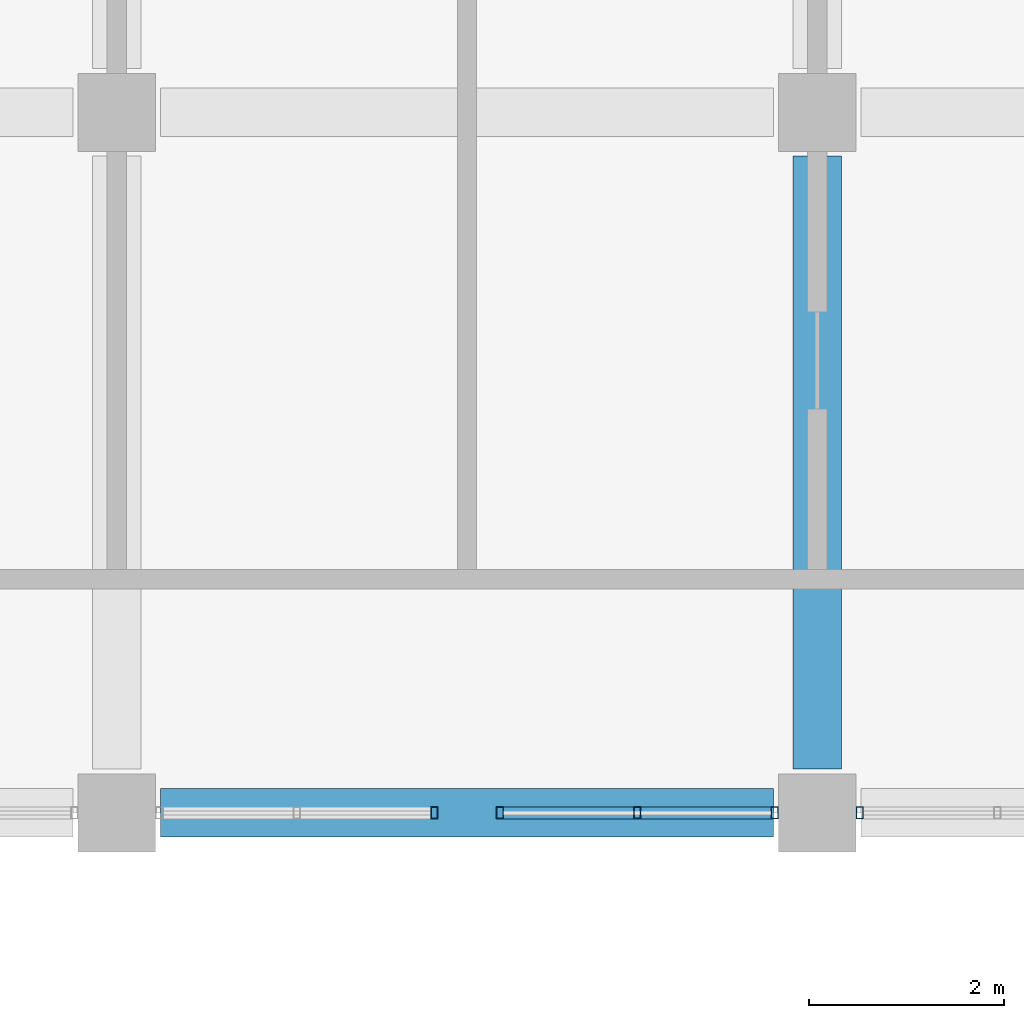
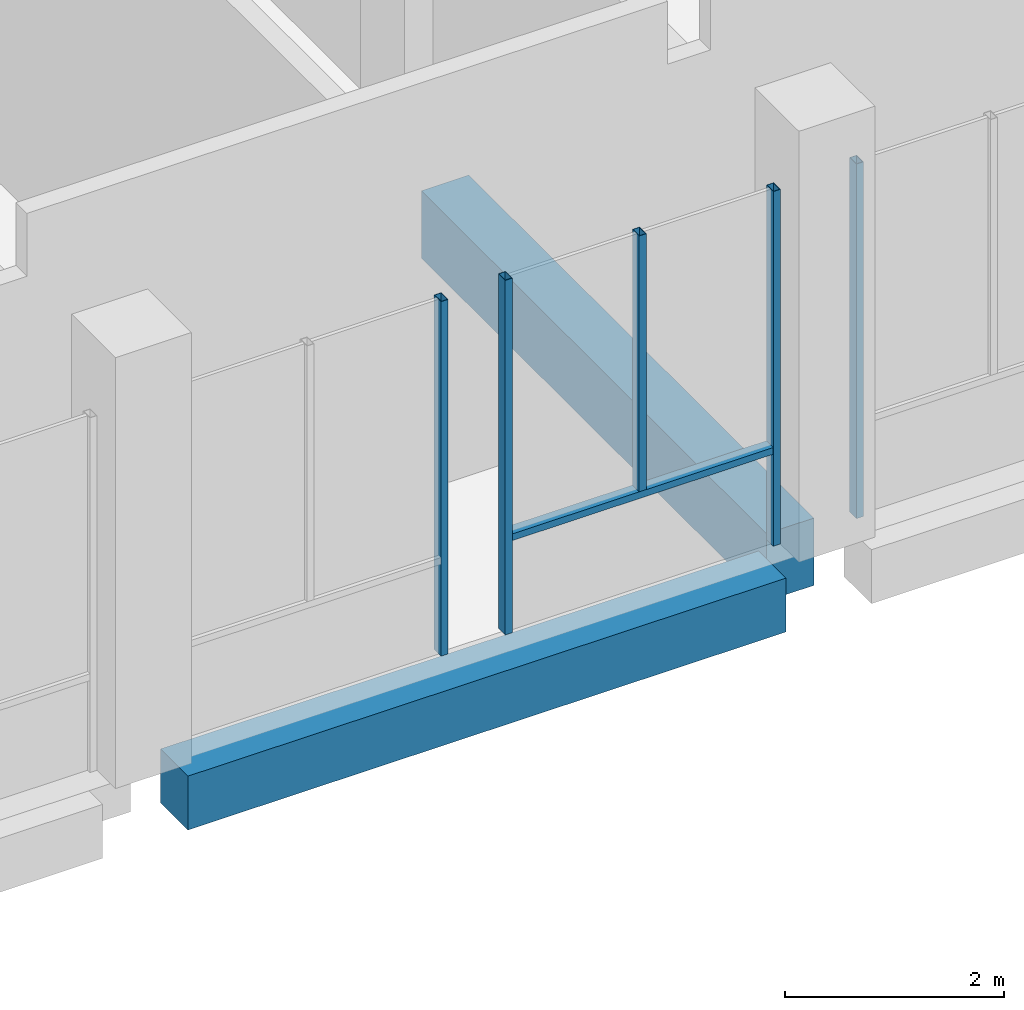
# One storey, part 8 of 31: 6 members, 2 beams, 3 elements without a shape of their own.
"""IFC4 building model written with IfcOpenShell, lengths in metres."""

import ifcopenshell
import ifcopenshell.guid

model = None  # the IFC model being written
_history = None  # IfcOwnerHistory: only IFC2X3 demands one
_inside = {}  # id of a spatial element -> (the spatial element, [elements in it])
_under = {}  # id of a project, library or spatial element -> (it, [spatial elements below it])
_declared = {}  # id of a project -> (the project, [libraries it declares])
_typed = {}  # id of a type object -> (the type object, [elements of that type])
_made_of = {}  # id of a material, layer set ... -> (it, [elements and type objects made of it])


def new_model(schema):
    """Start an empty IFC model of exactly this schema.

    Asked for "IFC4X3", IfcOpenShell would pick the latest addendum, in which some entities
    have other attributes; the version numbers below select the first issue.
    IFC2X3 requires an IfcOwnerHistory on every rooted entity: one is made here for all.
    """
    global model, _history
    if schema == "IFC4X3":
        model = ifcopenshell.file(schema_version=(4, 3, 0, 0))
    else:
        model = ifcopenshell.file(schema=schema)
    _inside.clear()
    _under.clear()
    _declared.clear()
    _typed.clear()
    _made_of.clear()
    _history = None
    if model.schema == "IFC2X3":
        org = make("IfcOrganization", Name="unknown")
        user = make(
            "IfcPersonAndOrganization",
            ThePerson=make("IfcPerson", FamilyName="unknown"),
            TheOrganization=org,
        )
        app = make(
            "IfcApplication",
            ApplicationDeveloper=org,
            Version="unknown",
            ApplicationFullName="unknown",
            ApplicationIdentifier="unknown",
        )
        _history = make(
            "IfcOwnerHistory",
            OwningUser=user,
            OwningApplication=app,
            ChangeAction="ADDED",
            CreationDate=0,
        )
    return model


def make(cls, **values):
    """One entity of the class cls with the attributes given. An attribute that is None is left unset."""
    return model.create_entity(
        cls, **{name: value for name, value in values.items() if value is not None}
    )


def rooted(cls, **values):
    """An entity with a GlobalId (a new one), such as an element, a storey or a relation."""
    return make(cls, GlobalId=ifcopenshell.guid.new(), OwnerHistory=_history, **values)


def si_unit(unit_type, name, prefix=None):
    """IfcSIUnit, for example si_unit("LENGTHUNIT", "METRE", prefix="MILLI")."""
    return make("IfcSIUnit", UnitType=unit_type, Prefix=prefix, Name=name)


def assignment(units):
    """IfcUnitAssignment: the units of a project."""
    return None if units is None else make("IfcUnitAssignment", Units=units)


def point(xyz):
    """IfcCartesianPoint."""
    return None if xyz is None else make("IfcCartesianPoint", Coordinates=xyz)


def direction(xyz):
    """IfcDirection."""
    return None if xyz is None else make("IfcDirection", DirectionRatios=xyz)


def frame(location, z_axis=None, x_axis=None):
    """IfcAxis2Placement3D, a coordinate frame: its origin and axes. An axis left out is left unset."""
    return make(
        "IfcAxis2Placement3D",
        Location=point(location),
        Axis=direction(z_axis),
        RefDirection=direction(x_axis),
    )


def frame_2d(location, x_axis=None):
    """IfcAxis2Placement2D, a coordinate frame in the plane: its origin and x axis."""
    return make(
        "IfcAxis2Placement2D", Location=point(location), RefDirection=direction(x_axis)
    )


def origin():
    """The frame at (0, 0, 0) with its axes left unset."""
    return frame((0.0, 0.0, 0.0))


def origin_2d():
    """The frame at (0, 0) in the plane with its x axis left unset."""
    return frame_2d((0.0, 0.0))


def place(relative_to, where):
    """IfcLocalPlacement: puts the frame where relative to a parent placement (None: the world)."""
    return make(
        "IfcLocalPlacement", PlacementRelTo=relative_to, RelativePlacement=where
    )


def context(
    kind, dimensions, precision=None, world=None, true_north=None, identifier=None
):
    """IfcGeometricRepresentationContext, for example the 3D "Model" context."""
    return make(
        "IfcGeometricRepresentationContext",
        ContextIdentifier=identifier,
        ContextType=kind,
        CoordinateSpaceDimension=dimensions,
        Precision=precision,
        WorldCoordinateSystem=world,
        TrueNorth=true_north,
    )


def subcontext(parent, identifier, kind, view, scale=None):
    """IfcGeometricRepresentationSubContext, for example "Body" below "Model"."""
    return make(
        "IfcGeometricRepresentationSubContext",
        ContextIdentifier=identifier,
        ContextType=kind,
        ParentContext=parent,
        TargetScale=scale,
        TargetView=view,
    )


def project(units=None, contexts=None):
    """IfcProject with its units and contexts."""
    return rooted(
        "IfcProject",
        Name="project",
        RepresentationContexts=contexts,
        UnitsInContext=assignment(units),
    )


def spatial(cls, under=None, at=None, **own):
    """A site, building, storey or space (cls), placed at a placement, below another one or the project."""
    s = rooted(cls, ObjectPlacement=at, **own)
    if under is not None:
        _under.setdefault(under.id(), (under, []))[1].append(s)
    return s


def profile(cls, at=None, kind="AREA", **sizes):
    """A parametric profile (cls). Its sizes go by their IFC names, for example OverallWidth=200.0."""
    return make(cls, ProfileType=kind, Position=at, **sizes)


def rectangle(**sizes):
    """IfcRectangleProfileDef."""
    return profile("IfcRectangleProfileDef", **sizes)


def hollow_rectangle(**sizes):
    """IfcRectangleHollowProfileDef."""
    return profile("IfcRectangleHollowProfileDef", **sizes)


def extrude(swept, where, along, depth):
    """IfcExtrudedAreaSolid: the profile swept, set in the frame where, extruded along a direction by depth."""
    return make(
        "IfcExtrudedAreaSolid",
        SweptArea=swept,
        Position=where,
        ExtrudedDirection=direction(along),
        Depth=depth,
    )


def shape(context_of_items, identifier, shape_type, items):
    """IfcShapeRepresentation: the items that make up one representation, for example the "Body"."""
    return make(
        "IfcShapeRepresentation",
        ContextOfItems=context_of_items,
        RepresentationIdentifier=identifier,
        RepresentationType=shape_type,
        Items=items,
    )


def material(Name=None, Category=None):
    """IfcMaterial."""
    return make("IfcMaterial", Name=Name, Category=Category)


def material_profile(
    of_material, cross_section, Name=None, Category=None, Priority=None
):
    """IfcMaterialProfile: a cross section and its material."""
    return make(
        "IfcMaterialProfile",
        Name=Name,
        Material=of_material,
        Profile=cross_section,
        Priority=Priority,
        Category=Category,
    )


def profile_set(profiles, Name=None, composite=None):
    """IfcMaterialProfileSet."""
    return make(
        "IfcMaterialProfileSet",
        Name=Name,
        MaterialProfiles=profiles,
        CompositeProfile=composite,
    )


def made_of(thing, what):
    """Note that an element or type object is made of a material, layer set ...; save() writes the relation."""
    if what is not None:
        _made_of.setdefault(what.id(), (what, []))[1].append(thing)
    return thing


def type_object(cls, material=None, **own):
    """A type object (cls), such as IfcWallType, which elements share."""
    return made_of(rooted(cls, **own), material)


def element(
    cls,
    number,
    at=None,
    inside=None,
    cuts=None,
    type_object=None,
    material=None,
    context=None,
    identifier="Body",
    shape_type=None,
    held_by="IfcProductDefinitionShape",
    body=None,
    shapes=None,
    **own,
):
    """One element of the class cls, such as IfcWall. Its Tag is "e" and its number.

    at: its placement. inside: the storey or other place that contains it. cuts: it is an
    opening in that element (IfcRelVoidsElement). A single representation is given by context,
    identifier, shape_type and body (its items); several are given by shapes. held_by: the class
    of the entity that holds the representations. save() writes the other relations.
    """
    e = rooted(cls, Tag="e%d" % number, ObjectPlacement=at, **own)
    if body is not None:
        shapes = [shape(context, identifier, shape_type, body)]
    if shapes is not None:
        e.Representation = make(held_by, Representations=shapes)
    if inside is not None:
        _inside.setdefault(inside.id(), (inside, []))[1].append(e)
    if cuts is not None:
        rooted(
            "IfcRelVoidsElement", RelatingBuildingElement=cuts, RelatedOpeningElement=e
        )
    if type_object is not None:
        _typed.setdefault(type_object.id(), (type_object, []))[1].append(e)
    return made_of(e, material)


def aggregate(whole, parts):
    """IfcRelAggregates: a whole, such as a stair, and the parts it consists of."""
    return rooted("IfcRelAggregates", RelatingObject=whole, RelatedObjects=parts)


def save(model, path):
    """Write the relations noted so far, then the file.

    IfcRelAggregates (storeys below a building ...), IfcRelContainedInSpatialStructure (elements
    in a storey), IfcRelDefinesByType, IfcRelAssociatesMaterial and IfcRelDeclares: one each for
    every whole, place, type object, material and project.
    """
    for whole, parts in _under.values():
        aggregate(whole, parts)
    for where, things in _inside.values():
        rooted(
            "IfcRelContainedInSpatialStructure",
            RelatedElements=things,
            RelatingStructure=where,
        )
    for kind, things in _typed.values():
        rooted("IfcRelDefinesByType", RelatedObjects=things, RelatingType=kind)
    for what, things in _made_of.values():
        rooted("IfcRelAssociatesMaterial", RelatedObjects=things, RelatingMaterial=what)
    for by, libraries in _declared.values():
        rooted("IfcRelDeclares", RelatingContext=by, RelatedDefinitions=libraries)
    model.write(path)


model = new_model("IFC4")

# Units and contexts
model_context = context("Model", 3, precision=1e-05, world=origin(), true_north=direction((0.0, 1.0)))
body_context = subcontext(model_context, "Body", "Model", "MODEL_VIEW")
ifc_project = project(units=[si_unit("LENGTHUNIT", "METRE"), si_unit("AREAUNIT", "SQUARE_METRE"), si_unit("VOLUMEUNIT", "CUBIC_METRE"), si_unit("PLANEANGLEUNIT", "RADIAN"), si_unit("MASSUNIT", "GRAM", prefix="KILO")], contexts=[model_context])

# Site, building, storey
site_placement = place(None, origin())
site = spatial("IfcSite", under=ifc_project, at=site_placement, CompositionType="ELEMENT")
building_placement = place(site_placement, origin())
building = spatial("IfcBuilding", under=site, at=building_placement, Name="Silangan Lancet Faculty of Sciences", CompositionType="ELEMENT")
storey_placement = place(building_placement, frame((0.0, 0.0, 36.0)))
storey = spatial("IfcBuildingStorey", under=building, at=storey_placement, Name="L07", CompositionType="ELEMENT", Elevation=36.0)

# Beams
ifc_material_1 = material(Name="Concrete C40/50", Category="concrete")
ifc_material_profile_1 = material_profile(ifc_material_1, rectangle(XDim=0.5, YDim=0.60009765625, at=origin_2d()), Name="RC 500x600")
ifc_profile_set_1 = profile_set([ifc_material_profile_1], Name="Concrete C40/50")
beam_type_1 = type_object("IfcBeamType", Name="BEAM RC 500x600", PredefinedType="BEAM", material=ifc_profile_set_1)
beam_1_placement = place(storey_placement, frame((7.64990234375, 36.0, -0.550048828125), z_axis=(1.0, 0.0, 0.0), x_axis=(0.0, 1.0, 0.0)))
element("IfcBeam", 1, at=beam_1_placement, inside=storey, type_object=beam_type_1, Name="BM-L07-2F-3F", PredefinedType="BEAM", context=body_context, shape_type="SweptSolid", body=[
    extrude(rectangle(XDim=0.5, YDim=0.60009765625, at=origin_2d()), origin(), (0.0, 0.0, 1.0), 6.300048828125),
])
ifc_material_2 = material(Name="Concrete C40/50", Category="concrete")
ifc_material_profile_2 = material_profile(ifc_material_2, rectangle(XDim=0.5, YDim=0.75, at=origin_2d()), Name="RC 500x750")
ifc_profile_set_2 = profile_set([ifc_material_profile_2], Name="Concrete C40/50")
beam_type_2 = type_object("IfcBeamType", Name="BEAM RC 500x750", PredefinedType="BEAM", material=ifc_profile_set_2)
beam_2_placement = place(storey_placement, frame((14.39990234375, 36.449951171875, -0.625), z_axis=(0.0, 1.0, 0.0), x_axis=(-1.0, 0.0, 0.0)))
element("IfcBeam", 2, at=beam_2_placement, inside=storey, type_object=beam_type_2, Name="BM-L07-3F-3G", PredefinedType="BEAM", context=body_context, shape_type="SweptSolid", body=[
    extrude(rectangle(XDim=0.5, YDim=0.75, at=origin_2d()), origin(), (0.0, 0.0, 1.0), 6.300048828125),
])

# Curtain wall, member
ifc_material_3 = material(Name="Aluminium framed curtain wall with insulated glass", Category="aluminium")
curtain_wall_type = type_object("IfcCurtainWallType", Name="CW2 Atrium fire-resisting screen", PredefinedType="NOTDEFINED", material=ifc_material_3)
curtain_wall_1_placement = place(storey_placement, origin())
curtain_wall_1 = element("IfcCurtainWall", 3, at=curtain_wall_1_placement, inside=storey, type_object=curtain_wall_type, Name="CW2 Atrium north L07 bay 3", PredefinedType="NOTDEFINED")
ifc_material_4 = material(Name="Steel S355J2H", Category="steel")
ifc_material_profile_3 = material_profile(ifc_material_4, hollow_rectangle(XDim=0.074951171875, YDim=0.125, WallThickness=0.0048828125, at=origin_2d()), Name="ST BOX 75x125x5")
ifc_profile_set_3 = profile_set([ifc_material_profile_3], Name="Steel S355J2H")
member_type_1 = type_object("IfcMemberType", Name="CM2 Mullion 75x125", PredefinedType="MULLION", material=ifc_profile_set_3)
member_1_placement = place(storey_placement, frame((10.46240234375, 36.0, 0.0), z_axis=(0.0, 0.0, 1.0), x_axis=(1.0, 0.0, 0.0)))
member_1 = element("IfcMember", 4, at=member_1_placement, type_object=member_type_1, Name="CW2 Atrium north L07 bay 3 mullion 2", PredefinedType="MULLION", context=body_context, shape_type="SweptSolid", body=[
    extrude(hollow_rectangle(XDim=0.074951171875, YDim=0.125, WallThickness=0.0048828125, at=origin_2d()), origin(), (0.0, 0.0, 1.0), 3.949951171875),
])
aggregate(curtain_wall_1, [member_1])

# Curtain wall, members
curtain_wall_2_placement = place(storey_placement, origin())
curtain_wall_2 = element("IfcCurtainWall", 5, at=curtain_wall_2_placement, inside=storey, type_object=curtain_wall_type, Name="CW2 Atrium north L07 bay 4", PredefinedType="NOTDEFINED")
member_2_placement = place(storey_placement, frame((11.137451171875, 36.0, 0.0), z_axis=(0.0, 0.0, 1.0), x_axis=(1.0, 0.0, 0.0)))
member_2 = element("IfcMember", 6, at=member_2_placement, type_object=member_type_1, Name="CW2 Atrium north L07 bay 4 mullion 1", PredefinedType="MULLION", context=body_context, shape_type="SweptSolid", body=[
    extrude(hollow_rectangle(XDim=0.074951171875, YDim=0.125, WallThickness=0.0048828125, at=origin_2d()), origin(), (0.0, 0.0, 1.0), 3.949951171875),
])
member_3_placement = place(storey_placement, frame((13.96240234375, 36.0, 0.0), z_axis=(0.0, 0.0, 1.0), x_axis=(1.0, 0.0, 0.0)))
member_3 = element("IfcMember", 7, at=member_3_placement, type_object=member_type_1, Name="CW2 Atrium north L07 bay 4 mullion 2", PredefinedType="MULLION", context=body_context, shape_type="SweptSolid", body=[
    extrude(hollow_rectangle(XDim=0.074951171875, YDim=0.125, WallThickness=0.0048828125, at=origin_2d()), origin(), (0.0, 0.0, 1.0), 3.949951171875),
])
member_4_placement = place(storey_placement, frame((12.550048828125, 36.0, 1.10009765625), z_axis=(0.0, 0.0, 1.0), x_axis=(1.0, 0.0, 0.0)))
member_4 = element("IfcMember", 8, at=member_4_placement, type_object=member_type_1, Name="CW2 Atrium north L07 bay 4 mullion 3", PredefinedType="MULLION", context=body_context, shape_type="SweptSolid", body=[
    extrude(hollow_rectangle(XDim=0.074951171875, YDim=0.125, WallThickness=0.0048828125, at=origin_2d()), origin(), (0.0, 0.0, 1.0), 2.849853515625),
])

# Curtain wall, member
curtain_wall_3_placement = place(storey_placement, origin())
curtain_wall_3 = element("IfcCurtainWall", 9, at=curtain_wall_3_placement, inside=storey, type_object=curtain_wall_type, Name="CW2 Atrium north L07 bay 5", PredefinedType="NOTDEFINED")
member_5_placement = place(storey_placement, frame((14.83740234375, 36.0, 0.0), z_axis=(0.0, 0.0, 1.0), x_axis=(1.0, 0.0, 0.0)))
member_5 = element("IfcMember", 10, at=member_5_placement, type_object=member_type_1, Name="CW2 Atrium north L07 bay 5 mullion 1", PredefinedType="MULLION", context=body_context, shape_type="SweptSolid", body=[
    extrude(hollow_rectangle(XDim=0.074951171875, YDim=0.125, WallThickness=0.0048828125, at=origin_2d()), origin(), (0.0, 0.0, 1.0), 3.949951171875),
])
aggregate(curtain_wall_3, [member_5])

# Member
ifc_material_5 = material(Name="Steel S355J2H", Category="steel")
ifc_material_profile_4 = material_profile(ifc_material_5, hollow_rectangle(XDim=0.125, YDim=0.074951171875, WallThickness=0.0048828125, at=origin_2d()), Name="ST BOX 125x75x5")
ifc_profile_set_4 = profile_set([ifc_material_profile_4], Name="Steel S355J2H")
member_type_2 = type_object("IfcMemberType", Name="CT2 Transom 125x75", PredefinedType="USERDEFINED", material=ifc_profile_set_4)
member_6_placement = place(storey_placement, frame((11.175048828125, 36.0, 1.0625), z_axis=(1.0, 0.0, 0.0), x_axis=(0.0, 1.0, 0.0)))
member_6 = element("IfcMember", 11, at=member_6_placement, type_object=member_type_2, Name="CW2 Atrium north L07 bay 4 transom 1", ObjectType="TRANSOM", PredefinedType="USERDEFINED", context=body_context, shape_type="SweptSolid", body=[
    extrude(hollow_rectangle(XDim=0.125, YDim=0.074951171875, WallThickness=0.0048828125, at=origin_2d()), origin(), (0.0, 0.0, 1.0), 2.75),
])

aggregate(curtain_wall_2, [member_2, member_3, member_4, member_6])

save(model, "model.ifc")
